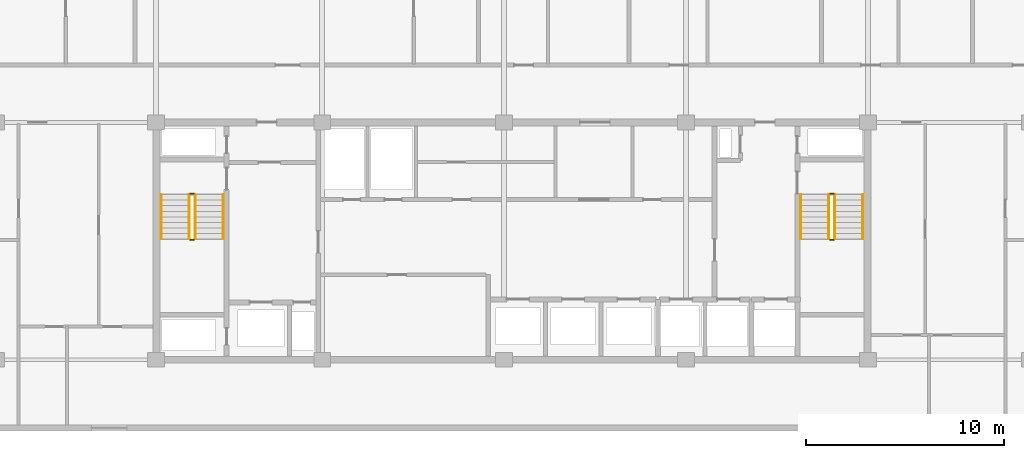
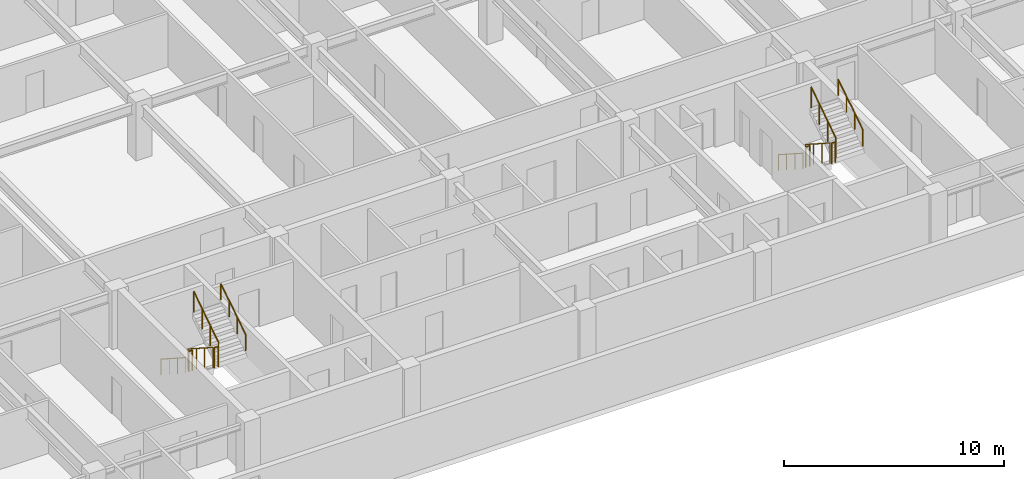
# One storey, part 20 of 21: 12 railings.
"""IFC4 building model written with IfcOpenShell, lengths in metres."""

from ifc_helpers import new_model, si_unit, direction, frame, origin, origin_2d, place, context, subcontext, project, spatial, circle, extrude, material, type_object, element, save


model = new_model("IFC4")

# Units and contexts
model_context = context("Model", 3, precision=1e-05, world=origin(), true_north=direction((0.0, 1.0)))
body_context = subcontext(model_context, "Body", "Model", "MODEL_VIEW")
ifc_project = project(units=[si_unit("LENGTHUNIT", "METRE"), si_unit("AREAUNIT", "SQUARE_METRE"), si_unit("VOLUMEUNIT", "CUBIC_METRE"), si_unit("PLANEANGLEUNIT", "RADIAN"), si_unit("MASSUNIT", "GRAM", prefix="KILO")], contexts=[model_context])

# Site, building, storey
site_placement = place(None, origin())
site = spatial("IfcSite", under=ifc_project, at=site_placement, CompositionType="ELEMENT")
building_placement = place(site_placement, origin())
building = spatial("IfcBuilding", under=site, at=building_placement, Name="Korimba Cascade Residences", CompositionType="ELEMENT")
storey_placement = place(building_placement, frame((0.0, 0.0, 175.10009765625)))
storey = spatial("IfcBuildingStorey", under=building, at=storey_placement, Name="L50", CompositionType="ELEMENT", Elevation=175.10009765625)

# Railings
ifc_material_1 = material(Name="Painted Steel Stairwell Guardrail", Category="steel")
railing_type_1 = type_object("IfcRailingType", Name="RLG-ST-GD1150", PredefinedType="GUARDRAIL", material=ifc_material_1)
railing_1_placement = place(storey_placement, frame((77.77001953125, 63.550048828125, 0.180419921875)))
element("IfcRailing", 1, at=railing_1_placement, inside=storey, type_object=railing_type_1, Name="L50 ST-W1 stair guard 1", PredefinedType="GUARDRAIL", context=body_context, shape_type="SweptSolid", body=[
    extrude(circle(Radius=0.02392578125, at=origin_2d()), frame((0.0, 0.0, 1.1259765625), z_axis=(0.0, -0.840394893359, 0.541974559565), x_axis=(1.0, 0.0, 0.0)), (0.0, 0.0, 1.0), 2.665283203125),
    extrude(circle(Radius=0.02099609375, at=origin_2d()), origin(), (0.0, 0.0, 1.0), 1.101806640625),
    extrude(circle(Radius=0.02099609375, at=origin_2d()), frame((0.0, -0.74658203125, 0.4814453125)), (0.0, 0.0, 1.0), 1.101806640625),
    extrude(circle(Radius=0.02099609375, at=origin_2d()), frame((0.0, -1.493408203125, 0.963134765625)), (0.0, 0.0, 1.0), 1.101806640625),
    extrude(circle(Radius=0.02099609375, at=origin_2d()), frame((0.0, -2.239990234375, 1.444580078125)), (0.0, 0.0, 1.0), 1.101806640625),
])
railing_2_placement = place(storey_placement, frame((77.820068359375, 61.260009765625, 1.625)))
element("IfcRailing", 2, at=railing_2_placement, inside=storey, type_object=railing_type_1, Name="L50 ST-W1 stair guard 2", PredefinedType="GUARDRAIL", context=body_context, shape_type="SweptSolid", body=[
    extrude(circle(Radius=0.02392578125, at=origin_2d()), frame((0.0, 0.0, 1.1259765625), z_axis=(1.0, 0.0, 0.0), x_axis=(0.0, 1.0, 0.0)), (0.0, 0.0, 1.0), 0.199951171875),
    extrude(circle(Radius=0.02099609375, at=origin_2d()), origin(), (0.0, 0.0, 1.0), 1.101806640625),
    extrude(circle(Radius=0.02099609375, at=origin_2d()), frame((0.199951171875, 0.0, 0.0)), (0.0, 0.0, 1.0), 1.101806640625),
])
railing_3_placement = place(storey_placement, frame((78.070068359375, 61.31005859375, 1.805419921875)))
element("IfcRailing", 3, at=railing_3_placement, inside=storey, type_object=railing_type_1, Name="L50 ST-W1 stair guard 3", PredefinedType="GUARDRAIL", context=body_context, shape_type="SweptSolid", body=[
    extrude(circle(Radius=0.02392578125, at=origin_2d()), frame((0.0, 0.0, 1.1259765625), z_axis=(0.0, 0.840394893359, 0.541974559565), x_axis=(-1.0, 0.0, 0.0)), (0.0, 0.0, 1.0), 2.665283203125),
    extrude(circle(Radius=0.02099609375, at=origin_2d()), origin(), (0.0, 0.0, 1.0), 1.101806640625),
    extrude(circle(Radius=0.02099609375, at=origin_2d()), frame((0.0, 0.74658203125, 0.4814453125)), (0.0, 0.0, 1.0), 1.101806640625),
    extrude(circle(Radius=0.02099609375, at=origin_2d()), frame((0.0, 1.493408203125, 0.963134765625)), (0.0, 0.0, 1.0), 1.101806640625),
    extrude(circle(Radius=0.02099609375, at=origin_2d()), frame((0.0, 2.239990234375, 1.444580078125)), (0.0, 0.0, 1.0), 1.101806640625),
])
railing_4_placement = place(storey_placement, frame((77.820068359375, 63.60009765625, 0.0)))
element("IfcRailing", 4, at=railing_4_placement, inside=storey, type_object=railing_type_1, Name="L50 ST-W1 stair guard 4", PredefinedType="GUARDRAIL", context=body_context, shape_type="SweptSolid", body=[
    extrude(circle(Radius=0.02392578125, at=origin_2d()), frame((0.0, 0.0, 1.1259765625), z_axis=(1.0, 0.0, 0.0), x_axis=(0.0, 1.0, 0.0)), (0.0, 0.0, 1.0), 0.199951171875),
    extrude(circle(Radius=0.02099609375, at=origin_2d()), origin(), (0.0, 0.0, 1.0), 1.101806640625),
    extrude(circle(Radius=0.02099609375, at=origin_2d()), frame((0.199951171875, 0.0, 0.0)), (0.0, 0.0, 1.0), 1.101806640625),
])
railing_5_placement = place(storey_placement, frame((110.1298828125, 63.550048828125, 0.180419921875)))
element("IfcRailing", 5, at=railing_5_placement, inside=storey, type_object=railing_type_1, Name="L50 ST-W2 stair guard 1", PredefinedType="GUARDRAIL", context=body_context, shape_type="SweptSolid", body=[
    extrude(circle(Radius=0.02392578125, at=origin_2d()), frame((0.0, 0.0, 1.1259765625), z_axis=(0.0, -0.840394893359, 0.541974559565), x_axis=(1.0, 0.0, 0.0)), (0.0, 0.0, 1.0), 2.665283203125),
    extrude(circle(Radius=0.02099609375, at=origin_2d()), origin(), (0.0, 0.0, 1.0), 1.101806640625),
    extrude(circle(Radius=0.02099609375, at=origin_2d()), frame((0.0, -0.74658203125, 0.4814453125)), (0.0, 0.0, 1.0), 1.101806640625),
    extrude(circle(Radius=0.02099609375, at=origin_2d()), frame((0.0, -1.493408203125, 0.963134765625)), (0.0, 0.0, 1.0), 1.101806640625),
    extrude(circle(Radius=0.02099609375, at=origin_2d()), frame((0.0, -2.239990234375, 1.444580078125)), (0.0, 0.0, 1.0), 1.101806640625),
])
railing_6_placement = place(storey_placement, frame((110.179931640625, 61.260009765625, 1.625)))
element("IfcRailing", 6, at=railing_6_placement, inside=storey, type_object=railing_type_1, Name="L50 ST-W2 stair guard 2", PredefinedType="GUARDRAIL", context=body_context, shape_type="SweptSolid", body=[
    extrude(circle(Radius=0.02392578125, at=origin_2d()), frame((0.0, 0.0, 1.1259765625), z_axis=(1.0, 0.0, 0.0), x_axis=(0.0, 1.0, 0.0)), (0.0, 0.0, 1.0), 0.199951171875),
    extrude(circle(Radius=0.02099609375, at=origin_2d()), origin(), (0.0, 0.0, 1.0), 1.101806640625),
    extrude(circle(Radius=0.02099609375, at=origin_2d()), frame((0.199951171875, 0.0, 0.0)), (0.0, 0.0, 1.0), 1.101806640625),
])
railing_7_placement = place(storey_placement, frame((110.429931640625, 61.31005859375, 1.805419921875)))
element("IfcRailing", 7, at=railing_7_placement, inside=storey, type_object=railing_type_1, Name="L50 ST-W2 stair guard 3", PredefinedType="GUARDRAIL", context=body_context, shape_type="SweptSolid", body=[
    extrude(circle(Radius=0.02392578125, at=origin_2d()), frame((0.0, 0.0, 1.1259765625), z_axis=(0.0, 0.840394893359, 0.541974559565), x_axis=(-1.0, 0.0, 0.0)), (0.0, 0.0, 1.0), 2.665283203125),
    extrude(circle(Radius=0.02099609375, at=origin_2d()), origin(), (0.0, 0.0, 1.0), 1.101806640625),
    extrude(circle(Radius=0.02099609375, at=origin_2d()), frame((0.0, 0.74658203125, 0.4814453125)), (0.0, 0.0, 1.0), 1.101806640625),
    extrude(circle(Radius=0.02099609375, at=origin_2d()), frame((0.0, 1.493408203125, 0.963134765625)), (0.0, 0.0, 1.0), 1.101806640625),
    extrude(circle(Radius=0.02099609375, at=origin_2d()), frame((0.0, 2.239990234375, 1.444580078125)), (0.0, 0.0, 1.0), 1.101806640625),
])
railing_8_placement = place(storey_placement, frame((110.179931640625, 63.60009765625, 0.0)))
element("IfcRailing", 8, at=railing_8_placement, inside=storey, type_object=railing_type_1, Name="L50 ST-W2 stair guard 4", PredefinedType="GUARDRAIL", context=body_context, shape_type="SweptSolid", body=[
    extrude(circle(Radius=0.02392578125, at=origin_2d()), frame((0.0, 0.0, 1.1259765625), z_axis=(1.0, 0.0, 0.0), x_axis=(0.0, 1.0, 0.0)), (0.0, 0.0, 1.0), 0.199951171875),
    extrude(circle(Radius=0.02099609375, at=origin_2d()), origin(), (0.0, 0.0, 1.0), 1.101806640625),
    extrude(circle(Radius=0.02099609375, at=origin_2d()), frame((0.199951171875, 0.0, 0.0)), (0.0, 0.0, 1.0), 1.101806640625),
])
ifc_material_2 = material(Name="Brushed Stainless Steel Handrail", Category="steel")
railing_type_2 = type_object("IfcRailingType", Name="RLG-ST-HR900", PredefinedType="HANDRAIL", material=ifc_material_2)
railing_9_placement = place(storey_placement, frame((76.35009765625, 63.550048828125, 0.36474609375)))
element("IfcRailing", 9, at=railing_9_placement, inside=storey, type_object=railing_type_2, Name="L50 ST-W1 stair handrail 1", PredefinedType="HANDRAIL", context=body_context, shape_type="SweptSolid", body=[
    extrude(circle(Radius=0.02392578125, at=origin_2d()), frame((0.0, 0.0, 0.8759765625), z_axis=(0.0, -0.840394893359, 0.541974559565), x_axis=(1.0, 0.0, 0.0)), (0.0, 0.0, 1.0), 2.665283203125),
    extrude(circle(Radius=0.02099609375, at=origin_2d()), origin(), (0.0, 0.0, 1.0), 0.851806640625),
    extrude(circle(Radius=0.02099609375, at=origin_2d()), frame((0.0, -0.74658203125, 0.4814453125)), (0.0, 0.0, 1.0), 0.851806640625),
    extrude(circle(Radius=0.02099609375, at=origin_2d()), frame((0.0, -1.493408203125, 0.963134765625)), (0.0, 0.0, 1.0), 0.851806640625),
    extrude(circle(Radius=0.02099609375, at=origin_2d()), frame((0.0, -2.239990234375, 1.444580078125)), (0.0, 0.0, 1.0), 0.851806640625),
])
railing_10_placement = place(storey_placement, frame((79.489990234375, 61.31005859375, 1.98974609375)))
element("IfcRailing", 10, at=railing_10_placement, inside=storey, type_object=railing_type_2, Name="L50 ST-W1 stair handrail 2", PredefinedType="HANDRAIL", context=body_context, shape_type="SweptSolid", body=[
    extrude(circle(Radius=0.02392578125, at=origin_2d()), frame((0.0, 0.0, 0.8759765625), z_axis=(0.0, 0.840394893359, 0.541974559565), x_axis=(-1.0, 0.0, 0.0)), (0.0, 0.0, 1.0), 2.665283203125),
    extrude(circle(Radius=0.02099609375, at=origin_2d()), origin(), (0.0, 0.0, 1.0), 0.851806640625),
    extrude(circle(Radius=0.02099609375, at=origin_2d()), frame((0.0, 0.74658203125, 0.4814453125)), (0.0, 0.0, 1.0), 0.851806640625),
    extrude(circle(Radius=0.02099609375, at=origin_2d()), frame((0.0, 1.493408203125, 0.963134765625)), (0.0, 0.0, 1.0), 0.851806640625),
    extrude(circle(Radius=0.02099609375, at=origin_2d()), frame((0.0, 2.239990234375, 1.444580078125)), (0.0, 0.0, 1.0), 0.851806640625),
])
railing_11_placement = place(storey_placement, frame((108.7099609375, 63.550048828125, 0.36474609375)))
element("IfcRailing", 11, at=railing_11_placement, inside=storey, type_object=railing_type_2, Name="L50 ST-W2 stair handrail 1", PredefinedType="HANDRAIL", context=body_context, shape_type="SweptSolid", body=[
    extrude(circle(Radius=0.02392578125, at=origin_2d()), frame((0.0, 0.0, 0.8759765625), z_axis=(0.0, -0.840394893359, 0.541974559565), x_axis=(1.0, 0.0, 0.0)), (0.0, 0.0, 1.0), 2.665283203125),
    extrude(circle(Radius=0.02099609375, at=origin_2d()), origin(), (0.0, 0.0, 1.0), 0.851806640625),
    extrude(circle(Radius=0.02099609375, at=origin_2d()), frame((0.0, -0.74658203125, 0.4814453125)), (0.0, 0.0, 1.0), 0.851806640625),
    extrude(circle(Radius=0.02099609375, at=origin_2d()), frame((0.0, -1.493408203125, 0.963134765625)), (0.0, 0.0, 1.0), 0.851806640625),
    extrude(circle(Radius=0.02099609375, at=origin_2d()), frame((0.0, -2.239990234375, 1.444580078125)), (0.0, 0.0, 1.0), 0.851806640625),
])
railing_12_placement = place(storey_placement, frame((111.85009765625, 61.31005859375, 1.98974609375)))
element("IfcRailing", 12, at=railing_12_placement, inside=storey, type_object=railing_type_2, Name="L50 ST-W2 stair handrail 2", PredefinedType="HANDRAIL", context=body_context, shape_type="SweptSolid", body=[
    extrude(circle(Radius=0.02392578125, at=origin_2d()), frame((0.0, 0.0, 0.8759765625), z_axis=(0.0, 0.840394893359, 0.541974559565), x_axis=(-1.0, 0.0, 0.0)), (0.0, 0.0, 1.0), 2.665283203125),
    extrude(circle(Radius=0.02099609375, at=origin_2d()), origin(), (0.0, 0.0, 1.0), 0.851806640625),
    extrude(circle(Radius=0.02099609375, at=origin_2d()), frame((0.0, 0.74658203125, 0.4814453125)), (0.0, 0.0, 1.0), 0.851806640625),
    extrude(circle(Radius=0.02099609375, at=origin_2d()), frame((0.0, 1.493408203125, 0.963134765625)), (0.0, 0.0, 1.0), 0.851806640625),
    extrude(circle(Radius=0.02099609375, at=origin_2d()), frame((0.0, 2.239990234375, 1.444580078125)), (0.0, 0.0, 1.0), 0.851806640625),
])

save(model, "model.ifc")
